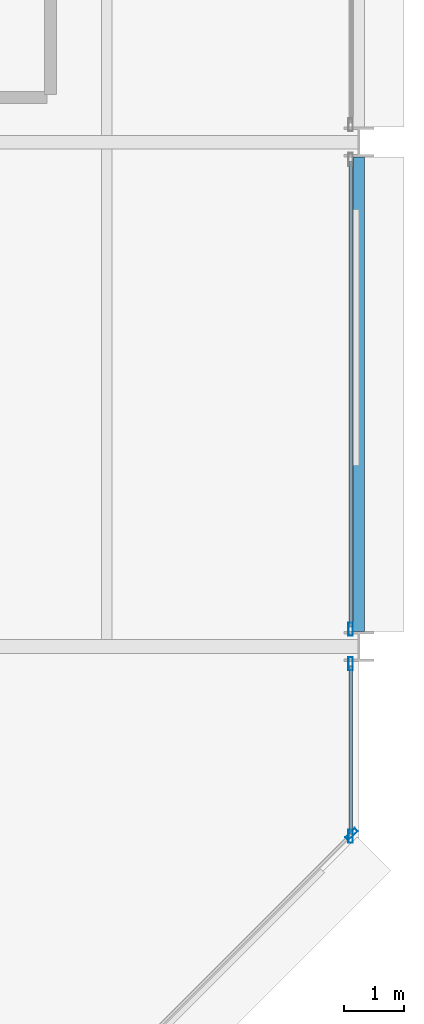
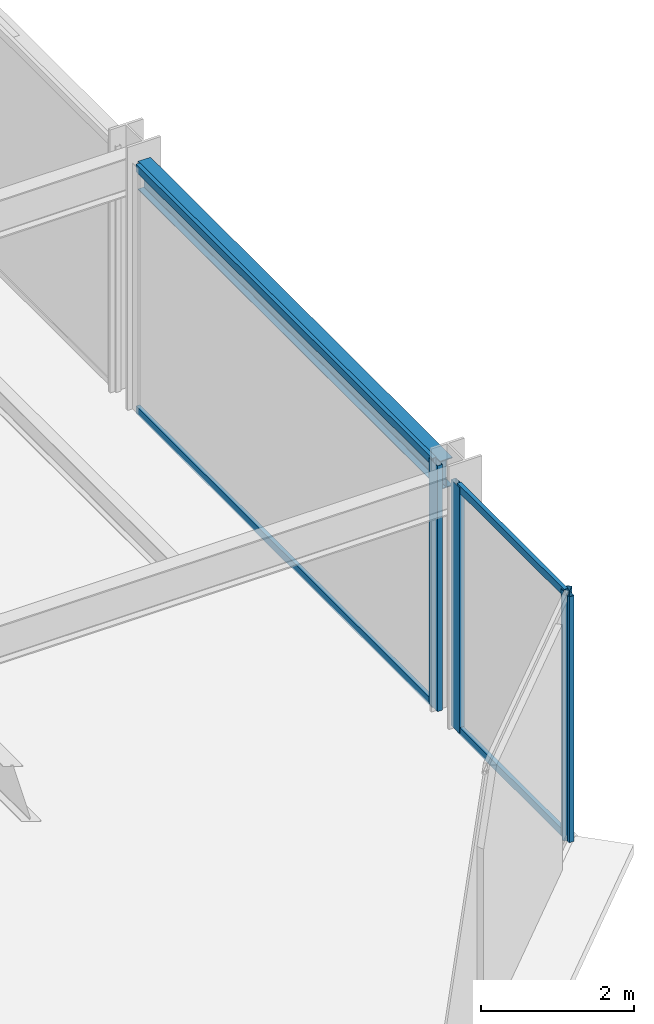
# One storey, part 11 of 25: 8 members, 1 beam, 3 elements without a shape of their own.
"""IFC4 building model written with IfcOpenShell, lengths in metres."""

from ifc_helpers import new_model, si_unit, direction, frame, origin, origin_2d, place, context, subcontext, project, spatial, hollow_rectangle, i_section, extrude, material, layer, layer_set, material_profile, profile_set, type_object, element, aggregate, save


model = new_model("IFC4")

# Units and contexts
model_context = context("Model", 3, precision=1e-05, world=origin(), true_north=direction((0.0, 1.0)))
body_context = subcontext(model_context, "Body", "Model", "MODEL_VIEW")
ifc_project = project(units=[si_unit("LENGTHUNIT", "METRE"), si_unit("AREAUNIT", "SQUARE_METRE"), si_unit("VOLUMEUNIT", "CUBIC_METRE"), si_unit("PLANEANGLEUNIT", "RADIAN"), si_unit("MASSUNIT", "GRAM", prefix="KILO")], contexts=[model_context])

# Site, building, storey
site_placement = place(None, origin())
site = spatial("IfcSite", under=ifc_project, at=site_placement, CompositionType="ELEMENT")
building_placement = place(site_placement, origin())
building = spatial("IfcBuilding", under=site, at=building_placement, Name="Nerrivon Quay Data Exchange", CompositionType="ELEMENT")
storey_placement = place(building_placement, frame((0.0, 0.0, 29.0)))
storey = spatial("IfcBuildingStorey", under=building, at=storey_placement, Name="L06", CompositionType="ELEMENT", Elevation=29.0)

# Beam
ifc_material_1 = material(Name="Steel Grade 350", Category="steel")
ifc_material_profile_1 = material_profile(ifc_material_1, i_section(OverallWidth=0.18994140625, OverallDepth=0.4541015625, WebThickness=0.008544921875, FlangeThickness=0.0126953125, FilletRadius=0.011474609375, at=origin_2d()), Name="460UB67.1")
ifc_profile_set_1 = profile_set([ifc_material_profile_1], Name="Steel Grade 350")
beam_type = type_object("IfcBeamType", Name="BM-SP1-460UB67", PredefinedType="SPANDREL", material=ifc_profile_set_1)
beam_placement = place(storey_placement, frame((50.39990234375, 8.64990234375, 3.697998046875), z_axis=(0.0, 1.0, 0.0), x_axis=(-1.0, 0.0, 0.0)))
element("IfcBeam", 1, at=beam_placement, inside=storey, type_object=beam_type, Name="L06 NS Girder X=50.4 (8.4..16.8)", PredefinedType="SPANDREL", context=body_context, shape_type="SweptSolid", body=[
    extrude(i_section(OverallWidth=0.18994140625, OverallDepth=0.4541015625, WebThickness=0.008544921875, FlangeThickness=0.0126953125, FilletRadius=0.011474609375, at=origin_2d()), origin(), (0.0, 0.0, 1.0), 7.900146484375),
])

# Curtain wall, member
ifc_material_2 = material(Name="Anodised aluminium 6063-T6", Category="aluminium")
ifc_layer = layer(ifc_material_2, 0.219970703125)
ifc_layer_set = layer_set([ifc_layer], Name="Anodised aluminium 6063-T6")
curtain_wall_type = type_object("IfcCurtainWallType", Name="CW-SYS-01", PredefinedType="NOTDEFINED", material=ifc_layer_set)
curtain_wall_1_placement = place(storey_placement, origin())
curtain_wall_1 = element("IfcCurtainWall", 2, at=curtain_wall_1_placement, inside=storey, type_object=curtain_wall_type, Name="L06 Unitised Curtain Wall 1", PredefinedType="NOTDEFINED")
ifc_material_profile_2 = material_profile(ifc_material_2, hollow_rectangle(XDim=0.074951171875, YDim=0.219970703125, WallThickness=0.00390625, at=origin_2d()), Name="ALU-MULL-220x75")
ifc_profile_set_2 = profile_set([ifc_material_profile_2], Name="Anodised aluminium 6063-T6")
member_type_1 = type_object("IfcMemberType", Name="CWM-220x75", PredefinedType="MULLION", material=ifc_profile_set_2)
member_1_placement = place(storey_placement, frame((50.2744140625, 5.2724609375, 0.0), z_axis=(0.0, 0.0, 1.0), x_axis=(0.707106781187, -0.707106781187, 0.0)))
member_1 = element("IfcMember", 3, at=member_1_placement, type_object=member_type_1, Name="CW01 mullion 1", PredefinedType="MULLION", context=body_context, shape_type="SweptSolid", body=[
    extrude(hollow_rectangle(XDim=0.074951171875, YDim=0.219970703125, WallThickness=0.00390625, at=origin_2d()), origin(), (0.0, 0.0, 1.0), 3.925048828125),
])
aggregate(curtain_wall_1, [member_1])

curtain_wall_2_placement = place(storey_placement, origin())
curtain_wall_2 = element("IfcCurtainWall", 4, at=curtain_wall_2_placement, inside=storey, type_object=curtain_wall_type, Name="L06 Unitised Curtain Wall 32", PredefinedType="NOTDEFINED")
member_2_placement = place(storey_placement, frame((50.260009765625, 8.6875, 0.0), z_axis=(0.0, 0.0, 1.0), x_axis=(1.0, 0.0, 0.0)))
member_2 = element("IfcMember", 5, at=member_2_placement, type_object=member_type_1, Name="CW01 mullion 2", PredefinedType="MULLION", context=body_context, shape_type="SweptSolid", body=[
    extrude(hollow_rectangle(XDim=0.074951171875, YDim=0.219970703125, WallThickness=0.00390625, at=origin_2d()), origin(), (0.0, 0.0, 1.0), 3.925048828125),
])

# Curtain wall, members
curtain_wall_3_placement = place(storey_placement, origin())
curtain_wall_3 = element("IfcCurtainWall", 6, at=curtain_wall_3_placement, inside=storey, type_object=curtain_wall_type, Name="L06 Unitised Curtain Wall 33", PredefinedType="NOTDEFINED")
member_3_placement = place(storey_placement, frame((50.260009765625, 8.112548828125, 0.0), z_axis=(0.0, 0.0, 1.0), x_axis=(1.0, 0.0, 0.0)))
member_3 = element("IfcMember", 7, at=member_3_placement, type_object=member_type_1, Name="CW01 mullion 1", PredefinedType="MULLION", context=body_context, shape_type="SweptSolid", body=[
    extrude(hollow_rectangle(XDim=0.074951171875, YDim=0.219970703125, WallThickness=0.00390625, at=origin_2d()), origin(), (0.0, 0.0, 1.0), 3.925048828125),
])
member_4_placement = place(storey_placement, frame((50.260009765625, 5.237548828125, 0.0), z_axis=(0.0, 0.0, 1.0), x_axis=(1.0, 0.0, 0.0)))
member_4 = element("IfcMember", 8, at=member_4_placement, type_object=member_type_1, Name="CW01 mullion 2", PredefinedType="MULLION", context=body_context, shape_type="SweptSolid", body=[
    extrude(hollow_rectangle(XDim=0.074951171875, YDim=0.219970703125, WallThickness=0.00390625, at=origin_2d()), origin(), (0.0, 0.0, 1.0), 3.925048828125),
])

# Member
ifc_material_profile_3 = material_profile(ifc_material_2, hollow_rectangle(XDim=0.06005859375, YDim=0.1201171875, WallThickness=0.003173828125, at=origin_2d()), Name="ALU-TRAN-120x60")
ifc_profile_set_3 = profile_set([ifc_material_profile_3], Name="Anodised aluminium 6063-T6")
member_type_2 = type_object("IfcMemberType", Name="CWT-120x60", PredefinedType="USERDEFINED", material=ifc_profile_set_3)
member_5_placement = place(storey_placement, frame((50.260009765625, 16.47509765625, 0.032470703125), z_axis=(0.0, -1.0, 0.0), x_axis=(1.0, 0.0, 0.0)))
member_5 = element("IfcMember", 9, at=member_5_placement, type_object=member_type_2, Name="CW01 transom 1.1", ObjectType="TRANSOM", PredefinedType="USERDEFINED", context=body_context, shape_type="SweptSolid", body=[
    extrude(hollow_rectangle(XDim=0.06005859375, YDim=0.1201171875, WallThickness=0.003173828125, at=origin_2d()), origin(), (0.0, 0.0, 1.0), 7.75),
])

member_6_placement = place(storey_placement, frame((50.260009765625, 16.47509765625, 3.892578125), z_axis=(0.0, -1.0, 0.0), x_axis=(1.0, 0.0, 0.0)))
member_6 = element("IfcMember", 10, at=member_6_placement, type_object=member_type_2, Name="CW01 transom 1.2", ObjectType="TRANSOM", PredefinedType="USERDEFINED", context=body_context, shape_type="SweptSolid", body=[
    extrude(hollow_rectangle(XDim=0.06005859375, YDim=0.1201171875, WallThickness=0.003173828125, at=origin_2d()), origin(), (0.0, 0.0, 1.0), 7.75),
])

aggregate(curtain_wall_2, [member_2, member_5, member_6])

member_7_placement = place(storey_placement, frame((50.260009765625, 8.074951171875, 0.032470703125), z_axis=(0.0, -1.0, 0.0), x_axis=(1.0, 0.0, 0.0)))
member_7 = element("IfcMember", 11, at=member_7_placement, type_object=member_type_2, Name="CW01 transom 1.1", ObjectType="TRANSOM", PredefinedType="USERDEFINED", context=body_context, shape_type="SweptSolid", body=[
    extrude(hollow_rectangle(XDim=0.06005859375, YDim=0.1201171875, WallThickness=0.003173828125, at=origin_2d()), origin(), (0.0, 0.0, 1.0), 2.800048828125),
])

member_8_placement = place(storey_placement, frame((50.260009765625, 8.074951171875, 3.892578125), z_axis=(0.0, -1.0, 0.0), x_axis=(1.0, 0.0, 0.0)))
member_8 = element("IfcMember", 12, at=member_8_placement, type_object=member_type_2, Name="CW01 transom 1.2", ObjectType="TRANSOM", PredefinedType="USERDEFINED", context=body_context, shape_type="SweptSolid", body=[
    extrude(hollow_rectangle(XDim=0.06005859375, YDim=0.1201171875, WallThickness=0.003173828125, at=origin_2d()), origin(), (0.0, 0.0, 1.0), 2.800048828125),
])

aggregate(curtain_wall_3, [member_3, member_4, member_7, member_8])

save(model, "model.ifc")
